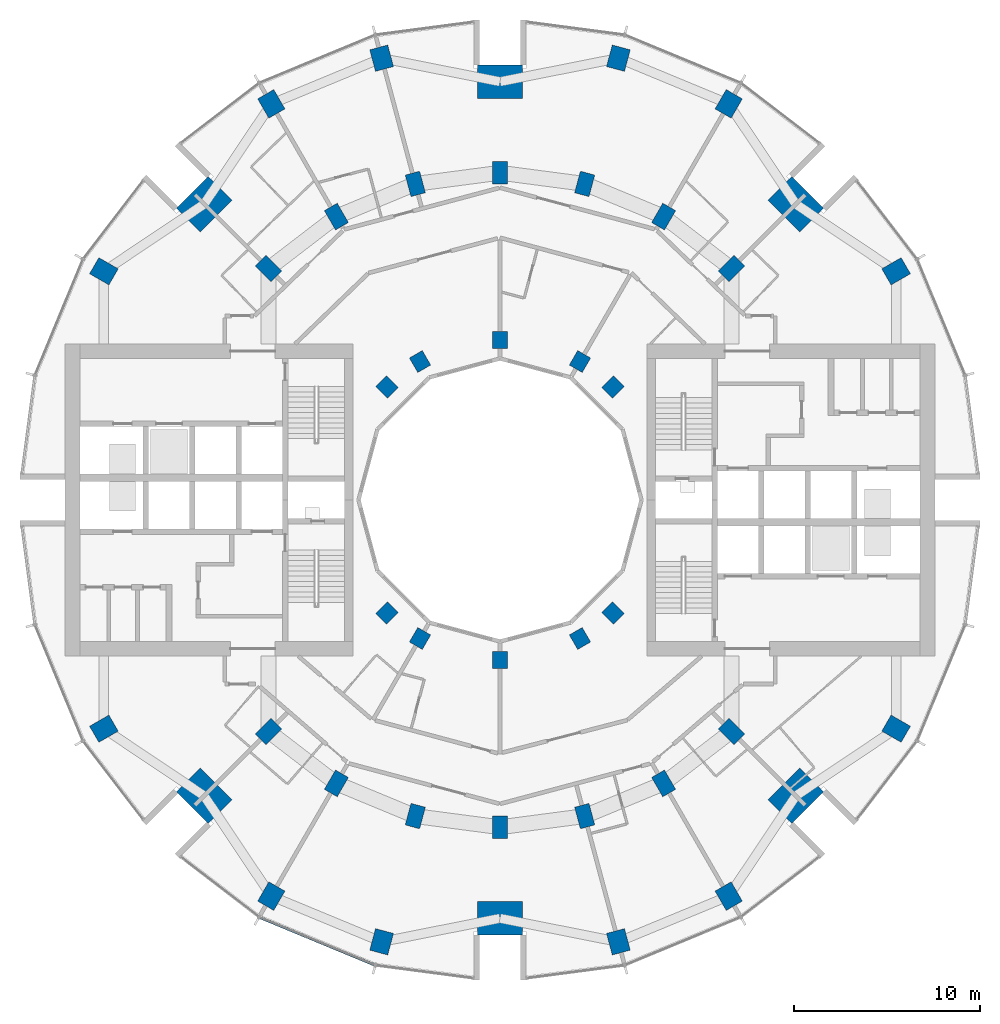
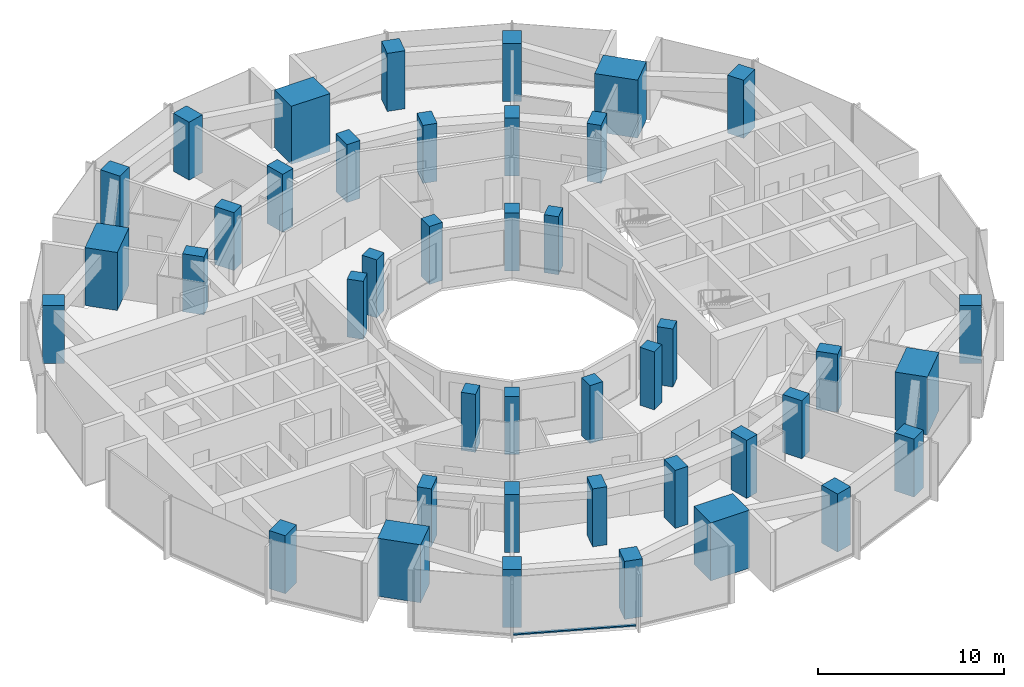
# One storey, part 1 of 15: 42 columns, 1 member, 1 element without a shape of its own.
"""IFC4 building model written with IfcOpenShell, lengths in metres."""

from ifc_helpers import new_model, si_unit, direction, frame, origin, origin_2d, place, context, subcontext, project, spatial, rectangle, extrude, material, layer, layer_set, material_profile, profile_set, type_object, element, aggregate, save


model = new_model("IFC4")

# Units and contexts
model_context = context("Model", 3, precision=1e-05, world=origin(), true_north=direction((0.0, 1.0)))
body_context = subcontext(model_context, "Body", "Model", "MODEL_VIEW")
ifc_project = project(units=[si_unit("LENGTHUNIT", "METRE"), si_unit("AREAUNIT", "SQUARE_METRE"), si_unit("VOLUMEUNIT", "CUBIC_METRE"), si_unit("PLANEANGLEUNIT", "RADIAN"), si_unit("MASSUNIT", "GRAM", prefix="KILO")], contexts=[model_context])

# Site, building, storey
site_placement = place(None, origin())
site = spatial("IfcSite", under=ifc_project, at=site_placement, CompositionType="ELEMENT")
building_placement = place(site_placement, origin())
building = spatial("IfcBuilding", under=site, at=building_placement, Name="Torre Brocal", CompositionType="ELEMENT")
storey_placement = place(building_placement, frame((0.0, 0.0, 101.39990234375)))
storey = spatial("IfcBuildingStorey", under=building, at=storey_placement, Name="L23", CompositionType="ELEMENT", Elevation=101.39990234375)

# Columns
ifc_material_1 = material(Name="Concrete C80", Category="concrete")
ifc_material_profile_1 = material_profile(ifc_material_1, rectangle(XDim=1.199951171875, YDim=1.0, at=origin_2d()), Name="RC 1200X1000")
ifc_profile_set_1 = profile_set([ifc_material_profile_1], Name="Concrete C80")
column_type_1 = type_object("IfcColumnType", Name="RC COLUMN 1200X1000 C80", PredefinedType="COLUMN", material=ifc_profile_set_1)
for number, where, z_axis, x_axis, name in (
    (1, (101.30419921875, 87.300048828125, 0.0), (0.0, 0.0, 1.0), (0.866025403784, 0.5, 0.0), "Column C-O02"),
    (2, (92.300048828125, 96.30419921875, 0.0), (0.0, 0.0, 1.0), (0.5, 0.866025403784, 0.0), "Column C-O04"),
    (3, (86.366943359375, 98.76171875, 0.0), (0.0, 0.0, 1.0), (0.258819045103, 0.965925826289, 0.0), "Column C-O05"),
    (4, (73.633056640625, 98.76171875, 0.0), (0.0, 0.0, 1.0), (-0.258819045103, 0.965925826289, 0.0), "Column C-O07"),
    (5, (67.699951171875, 96.30419921875, 0.0), (0.0, 0.0, 1.0), (-0.5, 0.866025403784, 0.0), "Column C-O08"),
    (6, (58.69580078125, 87.300048828125, 0.0), (0.0, 0.0, 1.0), (-0.866025403784, 0.5, 0.0), "Column C-O10"),
    (7, (58.69580078125, 62.699951171875, 0.0), (0.0, 0.0, 1.0), (-0.866025403784, -0.5, 0.0), "Column C-O14"),
    (8, (67.699951171875, 53.69580078125, 0.0), (0.0, 0.0, 1.0), (-0.5, -0.866025403784, 0.0), "Column C-O16"),
    (9, (73.633056640625, 51.23828125, 0.0), (0.0, 0.0, 1.0), (-0.258819045103, -0.965925826289, 0.0), "Column C-O17"),
    (10, (86.366943359375, 51.23828125, 0.0), (0.0, 0.0, 1.0), (0.258819045103, -0.965925826289, 0.0), "Column C-O19"),
    (11, (92.300048828125, 53.69580078125, 0.0), (0.0, 0.0, 1.0), (0.5, -0.866025403784, 0.0), "Column C-O20"),
    (12, (101.30419921875, 62.699951171875, 0.0), (0.0, 0.0, 1.0), (0.866025403784, -0.5, 0.0), "Column C-O22"),
):
    element("IfcColumn", number, at=place(storey_placement, frame(where, z_axis=z_axis, x_axis=x_axis)), inside=storey, type_object=column_type_1, Name=name, PredefinedType="COLUMN", context=body_context, shape_type="SweptSolid", body=[
        extrude(rectangle(XDim=1.199951171875, YDim=1.0, at=origin_2d()), origin(), (0.0, 0.0, 1.0), 3.800048828125),
    ])
ifc_material_2 = material(Name="Concrete C80", Category="concrete")
ifc_material_profile_2 = material_profile(ifc_material_2, rectangle(XDim=1.199951171875, YDim=0.800048828125, at=origin_2d()), Name="RC 1200X800")
ifc_profile_set_2 = profile_set([ifc_material_profile_2], Name="Concrete C80")
column_type_2 = type_object("IfcColumnType", Name="RC COLUMN 1200X800 C80", PredefinedType="COLUMN", material=ifc_profile_set_2)
for number, where, z_axis, x_axis, name in (
    (13, (92.445068359375, 87.445068359375, 0.0), (0.0, 0.0, 1.0), (0.707106781187, 0.707106781187, 0.0), "Column C-M03"),
    (14, (88.800048828125, 90.241943359375, 0.0), (0.0, 0.0, 1.0), (0.5, 0.866025403784, 0.0), "Column C-M04"),
    (15, (84.55517578125, 92.000244140625, 0.0), (0.0, 0.0, 1.0), (0.258819045103, 0.965925826289, 0.0), "Column C-M05"),
    (16, (80.0, 92.60009765625, 0.0), (0.0, 0.0, 1.0), (0.0, 1.0, 0.0), "Column C-M06"),
    (17, (75.44482421875, 92.000244140625, 0.0), (0.0, 0.0, 1.0), (-0.258819045103, 0.965925826289, 0.0), "Column C-M07"),
    (18, (71.199951171875, 90.241943359375, 0.0), (0.0, 0.0, 1.0), (-0.5, 0.866025403784, 0.0), "Column C-M08"),
    (19, (67.554931640625, 87.445068359375, 0.0), (0.0, 0.0, 1.0), (-0.707106781187, 0.707106781187, 0.0), "Column C-M09"),
    (20, (67.554931640625, 62.554931640625, 0.0), (0.0, 0.0, 1.0), (-0.707106781187, -0.707106781187, 0.0), "Column C-M15"),
    (21, (71.199951171875, 59.758056640625, 0.0), (0.0, 0.0, 1.0), (-0.5, -0.866025403784, 0.0), "Column C-M16"),
    (22, (75.44482421875, 57.999755859375, 0.0), (0.0, 0.0, 1.0), (-0.258819045103, -0.965925826289, 0.0), "Column C-M17"),
    (23, (80.0, 57.39990234375, 0.0), (0.0, 0.0, 1.0), (0.0, -1.0, 0.0), "Column C-M18"),
    (24, (84.55517578125, 57.999755859375, 0.0), (0.0, 0.0, 1.0), (0.258819045103, -0.965925826289, 0.0), "Column C-M19"),
    (25, (88.800048828125, 59.758056640625, 0.0), (0.0, 0.0, 1.0), (0.5, -0.866025403784, 0.0), "Column C-M20"),
    (26, (92.445068359375, 62.554931640625, 0.0), (0.0, 0.0, 1.0), (0.707106781187, -0.707106781187, 0.0), "Column C-M21"),
):
    element("IfcColumn", number, at=place(storey_placement, frame(where, z_axis=z_axis, x_axis=x_axis)), inside=storey, type_object=column_type_2, Name=name, PredefinedType="COLUMN", context=body_context, shape_type="SweptSolid", body=[
        extrude(rectangle(XDim=1.199951171875, YDim=0.800048828125, at=origin_2d()), origin(), (0.0, 0.0, 1.0), 3.800048828125),
    ])
ifc_material_3 = material(Name="Concrete C80", Category="concrete")
ifc_material_profile_3 = material_profile(ifc_material_3, rectangle(XDim=1.800048828125, YDim=2.39990234375, at=origin_2d()), Name="RC 1800X2400")
ifc_profile_set_3 = profile_set([ifc_material_profile_3], Name="Concrete C80")
column_type_3 = type_object("IfcColumnType", Name="RC COLUMN 1800X2400 C80", PredefinedType="COLUMN", material=ifc_profile_set_3)
for number, where, z_axis, x_axis, name in (
    (27, (95.909912109375, 90.909912109375, 0.0), (0.0, 0.0, 1.0), (0.707106781187, 0.707106781187, 0.0), "Column MC-1"),
    (28, (80.0, 97.5, 0.0), (0.0, 0.0, 1.0), (0.0, 1.0, 0.0), "Column MC-2"),
    (29, (64.090087890625, 90.909912109375, 0.0), (0.0, 0.0, 1.0), (-0.707106781187, 0.707106781187, 0.0), "Column MC-3"),
    (30, (64.090087890625, 59.090087890625, 0.0), (0.0, 0.0, 1.0), (-0.707106781187, -0.707106781187, 0.0), "Column MC-5"),
    (31, (80.0, 52.5, 0.0), (0.0, 0.0, 1.0), (0.0, -1.0, 0.0), "Column MC-6"),
    (32, (95.909912109375, 59.090087890625, 0.0), (0.0, 0.0, 1.0), (0.707106781187, -0.707106781187, 0.0), "Column MC-7"),
):
    element("IfcColumn", number, at=place(storey_placement, frame(where, z_axis=z_axis, x_axis=x_axis)), inside=storey, type_object=column_type_3, Name=name, PredefinedType="COLUMN", context=body_context, shape_type="SweptSolid", body=[
        extrude(rectangle(XDim=1.800048828125, YDim=2.39990234375, at=origin_2d()), origin(), (0.0, 0.0, 1.0), 3.800048828125),
    ])
ifc_material_4 = material(Name="Concrete C80", Category="concrete")
ifc_material_profile_4 = material_profile(ifc_material_4, rectangle(XDim=0.89990234375, YDim=0.800048828125, at=origin_2d()), Name="RC 900X800")
ifc_profile_set_4 = profile_set([ifc_material_profile_4], Name="Concrete C80")
column_type_4 = type_object("IfcColumnType", Name="RC COLUMN 900X800 C80", PredefinedType="COLUMN", material=ifc_profile_set_4)
for number, where, z_axis, x_axis, name in (
    (33, (86.0810546875, 81.0810546875, 0.0), (0.0, 0.0, 1.0), (0.707106781187, 0.707106781187, 0.0), "Column C-I03"),
    (34, (84.300048828125, 82.44775390625, 0.0), (0.0, 0.0, 1.0), (0.5, 0.866025403784, 0.0), "Column C-I04"),
    (35, (80.0, 83.60009765625, 0.0), (0.0, 0.0, 1.0), (0.0, 1.0, 0.0), "Column C-I06"),
    (36, (75.699951171875, 82.44775390625, 0.0), (0.0, 0.0, 1.0), (-0.5, 0.866025403784, 0.0), "Column C-I08"),
    (37, (73.9189453125, 81.0810546875, 0.0), (0.0, 0.0, 1.0), (-0.707106781187, 0.707106781187, 0.0), "Column C-I09"),
    (38, (73.9189453125, 68.9189453125, 0.0), (0.0, 0.0, 1.0), (-0.707106781187, -0.707106781187, 0.0), "Column C-I15"),
    (39, (75.699951171875, 67.55224609375, 0.0), (0.0, 0.0, 1.0), (-0.5, -0.866025403784, 0.0), "Column C-I16"),
    (40, (80.0, 66.39990234375, 0.0), (0.0, 0.0, 1.0), (0.0, -1.0, 0.0), "Column C-I18"),
    (41, (84.300048828125, 67.55224609375, 0.0), (0.0, 0.0, 1.0), (0.5, -0.866025403784, 0.0), "Column C-I20"),
    (42, (86.0810546875, 68.9189453125, 0.0), (0.0, 0.0, 1.0), (0.707106781187, -0.707106781187, 0.0), "Column C-I21"),
):
    element("IfcColumn", number, at=place(storey_placement, frame(where, z_axis=z_axis, x_axis=x_axis)), inside=storey, type_object=column_type_4, Name=name, PredefinedType="COLUMN", context=body_context, shape_type="SweptSolid", body=[
        extrude(rectangle(XDim=0.89990234375, YDim=0.800048828125, at=origin_2d()), origin(), (0.0, 0.0, 1.0), 3.800048828125),
    ])

# Curtain wall, member
ifc_material_5 = material(Name="Aluminium and glass", Category="aluminium")
ifc_layer = layer(ifc_material_5, 0.199951171875)
ifc_layer_set = layer_set([ifc_layer], Name="Aluminium and glass")
curtain_wall_type = type_object("IfcCurtainWallType", Name="CW-1 CURTAIN WALL 3800 HIGH", PredefinedType="NOTDEFINED", material=ifc_layer_set)
curtain_wall_placement = place(storey_placement, origin())
curtain_wall = element("IfcCurtainWall", 43, at=curtain_wall_placement, inside=storey, type_object=curtain_wall_type, Name="CW-1 RUN 17", PredefinedType="NOTDEFINED")
ifc_material_6 = material(Name="Aluminium, dark anodised", Category="aluminium")
ifc_material_profile_5 = material_profile(ifc_material_6, rectangle(XDim=0.159912109375, YDim=0.080078125, at=origin_2d()), Name="CW-1 TRANSOM 160X80")
ifc_profile_set_5 = profile_set([ifc_material_profile_5], Name="Aluminium, dark anodised")
member_type = type_object("IfcMemberType", Name="CW-1 TRANSOM 160X80", PredefinedType="USERDEFINED", material=ifc_profile_set_5)
member_placement = place(storey_placement, frame((67.10595703125, 52.547607421875, 0.0400390625), z_axis=(0.923887344364, -0.38266457234, 0.0), x_axis=(0.38266457234, 0.923887344364, 0.0)))
member = element("IfcMember", 44, at=member_placement, type_object=member_type, Name="CW1-1 transom 1.1", ObjectType="TRANSOM", PredefinedType="USERDEFINED", context=body_context, shape_type="SweptSolid", body=[
    extrude(rectangle(XDim=0.159912109375, YDim=0.080078125, at=origin_2d()), origin(), (0.0, 0.0, 1.0), 6.640869140625),
])
aggregate(curtain_wall, [member])

save(model, "model.ifc")
